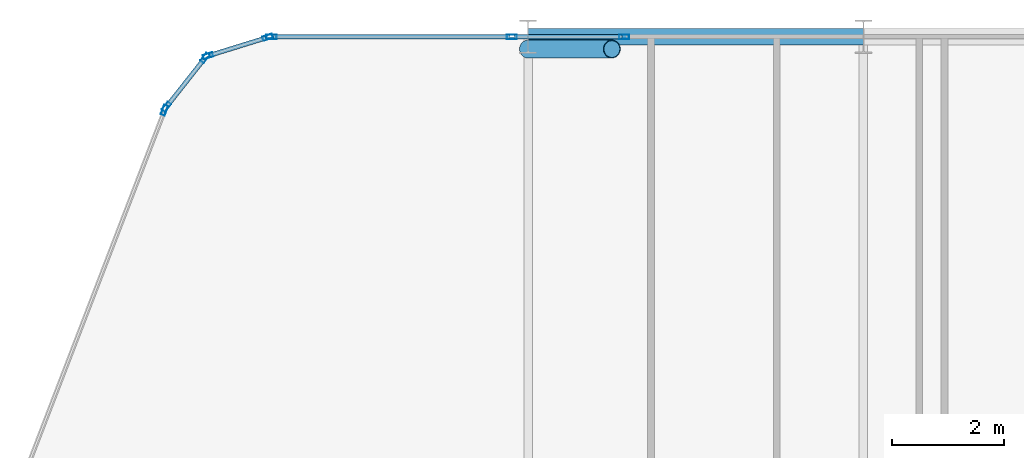
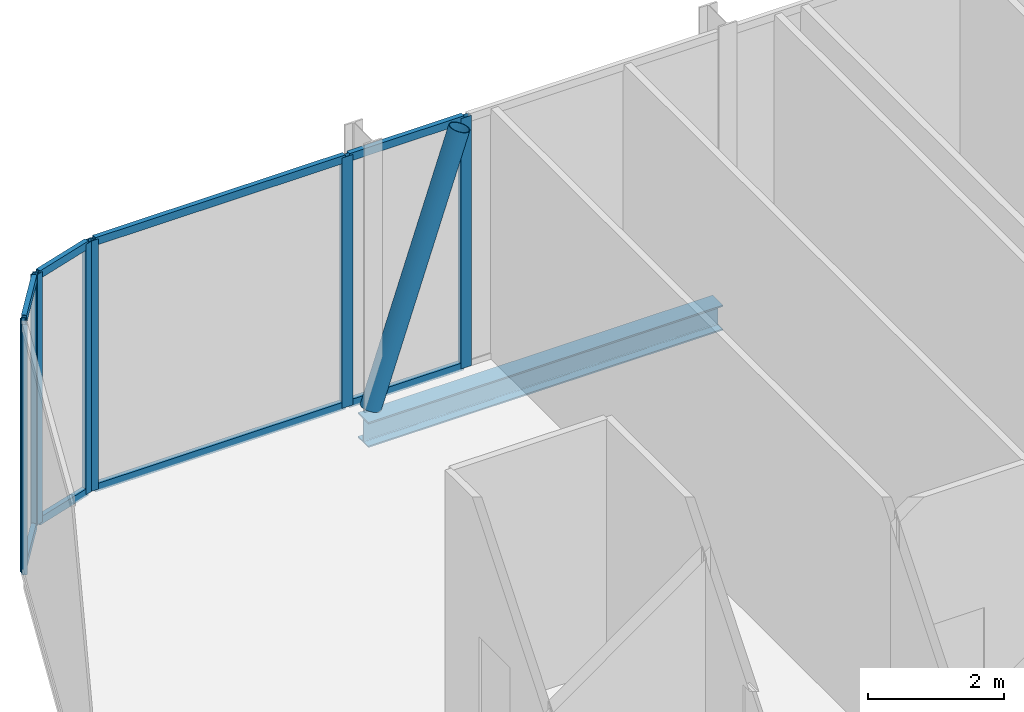
# One storey, part 16 of 29: 17 members, 1 beam, 5 elements without a shape of their own.
"""IFC4 building model written with IfcOpenShell, lengths in metres."""

from ifc_helpers import new_model, si_unit, direction, frame, origin, origin_2d, place, context, subcontext, project, spatial, hollow_rectangle, hollow_circle, i_section, extrude, material, layer, layer_set, material_profile, profile_set, type_object, element, aggregate, save


model = new_model("IFC4")

# Units and contexts
model_context = context("Model", 3, precision=1e-05, world=origin(), true_north=direction((0.0, 1.0)))
body_context = subcontext(model_context, "Body", "Model", "MODEL_VIEW")
ifc_project = project(units=[si_unit("LENGTHUNIT", "METRE"), si_unit("AREAUNIT", "SQUARE_METRE"), si_unit("VOLUMEUNIT", "CUBIC_METRE"), si_unit("PLANEANGLEUNIT", "RADIAN"), si_unit("MASSUNIT", "GRAM", prefix="KILO")], contexts=[model_context])

# Site, building, storey
site_placement = place(None, origin())
site = spatial("IfcSite", under=ifc_project, at=site_placement, CompositionType="ELEMENT")
building_placement = place(site_placement, origin())
building = spatial("IfcBuilding", under=site, at=building_placement, Name="Keshet Zoharim Tower", CompositionType="ELEMENT")
storey_placement = place(building_placement, frame((0.0, 0.0, 120.5)))
storey = spatial("IfcBuildingStorey", under=building, at=storey_placement, Name="L29", CompositionType="ELEMENT", Elevation=120.5)

# Beam
ifc_material_1 = material(Name="Steel S355", Category="steel")
ifc_material_profile_1 = material_profile(ifc_material_1, i_section(OverallWidth=0.300048828125, OverallDepth=0.449951171875, WebThickness=0.013916015625, FlangeThickness=0.02587890625, FilletRadius=0.027099609375, at=origin_2d()), Name="HEB450")
ifc_profile_set_1 = profile_set([ifc_material_profile_1], Name="Steel S355")
beam_type = type_object("IfcBeamType", Name="BM-WEB-HB450", PredefinedType="BEAM", material=ifc_profile_set_1)
beam_placement = place(storey_placement, frame((21.0, 53.89990234375, -0.544921875), z_axis=(1.0, 0.0, 0.0), x_axis=(0.0, 1.0, 0.0)))
element("IfcBeam", 1, at=beam_placement, inside=storey, type_object=beam_type, Name="L29 Primary Girder X-019", PredefinedType="BEAM", context=body_context, shape_type="SweptSolid", body=[
    extrude(i_section(OverallWidth=0.300048828125, OverallDepth=0.449951171875, WebThickness=0.013916015625, FlangeThickness=0.02587890625, FilletRadius=0.027099609375, at=origin_2d()), origin(), (0.0, 0.0, 1.0), 6.0),
])

# Curtain wall, member
ifc_material_2 = material(Name="Aluminium 6063-T6", Category="aluminium")
ifc_layer = layer(ifc_material_2, 0.14990234375)
ifc_layer_set = layer_set([ifc_layer], Name="Aluminium 6063-T6")
curtain_wall_type = type_object("IfcCurtainWallType", Name="CW-SYS-04", PredefinedType="NOTDEFINED", material=ifc_layer_set)
curtain_wall_1_placement = place(storey_placement, origin())
curtain_wall_1 = element("IfcCurtainWall", 2, at=curtain_wall_1_placement, inside=storey, type_object=curtain_wall_type, Name="L29 Unitised Curtain Wall 10", PredefinedType="NOTDEFINED")
ifc_material_profile_2 = material_profile(ifc_material_2, hollow_rectangle(XDim=0.080078125, YDim=0.179931640625, WallThickness=0.00439453125, at=origin_2d()), Name="MUL-80x180")
ifc_profile_set_2 = profile_set([ifc_material_profile_2], Name="Aluminium 6063-T6")
member_type_1 = type_object("IfcMemberType", Name="CWM-M18", PredefinedType="MULLION", material=ifc_profile_set_2)
member_1_placement = place(storey_placement, frame((14.494384765625, 52.58544921875, 0.0), z_axis=(0.0, 0.0, 1.0), x_axis=(-0.933341404361, 0.358990003907, 0.0)))
member_1 = element("IfcMember", 3, at=member_1_placement, type_object=member_type_1, Name="CW-04 mullion 4", PredefinedType="MULLION", context=body_context, shape_type="SweptSolid", body=[
    extrude(hollow_rectangle(XDim=0.080078125, YDim=0.179931640625, WallThickness=0.00439453125, at=origin_2d()), origin(), (0.0, 0.0, 1.0), 4.47998046875),
])
aggregate(curtain_wall_1, [member_1])

# Curtain wall, members
curtain_wall_2_placement = place(storey_placement, origin())
curtain_wall_2 = element("IfcCurtainWall", 4, at=curtain_wall_2_placement, inside=storey, type_object=curtain_wall_type, Name="L29 Unitised Curtain Wall 11", PredefinedType="NOTDEFINED")
member_2_placement = place(storey_placement, frame((14.528564453125, 52.6455078125, 0.0), z_axis=(0.0, 0.0, 1.0), x_axis=(-0.785292825205, 0.619124525989, 0.0)))
member_2 = element("IfcMember", 5, at=member_2_placement, type_object=member_type_1, Name="CW-04 mullion 1", PredefinedType="MULLION", context=body_context, shape_type="SweptSolid", body=[
    extrude(hollow_rectangle(XDim=0.080078125, YDim=0.179931640625, WallThickness=0.00439453125, at=origin_2d()), origin(), (0.0, 0.0, 1.0), 4.47998046875),
])
member_3_placement = place(storey_placement, frame((15.21923828125, 53.521484375, 0.0), z_axis=(0.0, 0.0, 1.0), x_axis=(-0.785292825205, 0.619124525989, 0.0)))
member_3 = element("IfcMember", 6, at=member_3_placement, type_object=member_type_1, Name="CW-04 mullion 2", PredefinedType="MULLION", context=body_context, shape_type="SweptSolid", body=[
    extrude(hollow_rectangle(XDim=0.080078125, YDim=0.179931640625, WallThickness=0.00439453125, at=origin_2d()), origin(), (0.0, 0.0, 1.0), 4.47998046875),
])

curtain_wall_3_placement = place(storey_placement, origin())
curtain_wall_3 = element("IfcCurtainWall", 7, at=curtain_wall_3_placement, inside=storey, type_object=curtain_wall_type, Name="L29 Unitised Curtain Wall 12", PredefinedType="NOTDEFINED")
member_4_placement = place(storey_placement, frame((15.2744140625, 53.559326171875, 0.0), z_axis=(0.0, 0.0, 1.0), x_axis=(-0.295921857984, 0.955212151288, 0.0)))
member_4 = element("IfcMember", 8, at=member_4_placement, type_object=member_type_1, Name="CW-04 mullion 1", PredefinedType="MULLION", context=body_context, shape_type="SweptSolid", body=[
    extrude(hollow_rectangle(XDim=0.080078125, YDim=0.179931640625, WallThickness=0.00439453125, at=origin_2d()), origin(), (0.0, 0.0, 1.0), 4.47998046875),
])
member_5_placement = place(storey_placement, frame((16.340576171875, 53.8896484375, 0.0), z_axis=(0.0, 0.0, 1.0), x_axis=(-0.295921857984, 0.955212151288, 0.0)))
member_5 = element("IfcMember", 9, at=member_5_placement, type_object=member_type_1, Name="CW-04 mullion 2", PredefinedType="MULLION", context=body_context, shape_type="SweptSolid", body=[
    extrude(hollow_rectangle(XDim=0.080078125, YDim=0.179931640625, WallThickness=0.00439453125, at=origin_2d()), origin(), (0.0, 0.0, 1.0), 4.47998046875),
])

curtain_wall_4_placement = place(storey_placement, origin())
curtain_wall_4 = element("IfcCurtainWall", 10, at=curtain_wall_4_placement, inside=storey, type_object=curtain_wall_type, Name="L29 Unitised Curtain Wall 13", PredefinedType="NOTDEFINED")
member_6_placement = place(storey_placement, frame((16.408935546875, 53.89990234375, 0.0), z_axis=(0.0, 0.0, 1.0), x_axis=(0.0, 1.0, 0.0)))
member_6 = element("IfcMember", 11, at=member_6_placement, type_object=member_type_1, Name="CW-04 mullion 1", PredefinedType="MULLION", context=body_context, shape_type="SweptSolid", body=[
    extrude(hollow_rectangle(XDim=0.080078125, YDim=0.179931640625, WallThickness=0.00439453125, at=origin_2d()), origin(), (0.0, 0.0, 1.0), 4.47998046875),
])
member_7_placement = place(storey_placement, frame((20.71142578125, 53.89990234375, 0.0), z_axis=(0.0, 0.0, 1.0), x_axis=(0.0, 1.0, 0.0)))
member_7 = element("IfcMember", 12, at=member_7_placement, type_object=member_type_1, Name="CW-04 mullion 2", PredefinedType="MULLION", context=body_context, shape_type="SweptSolid", body=[
    extrude(hollow_rectangle(XDim=0.080078125, YDim=0.179931640625, WallThickness=0.00439453125, at=origin_2d()), origin(), (0.0, 0.0, 1.0), 4.47998046875),
])

# Curtain wall, member
curtain_wall_5_placement = place(storey_placement, origin())
curtain_wall_5 = element("IfcCurtainWall", 13, at=curtain_wall_5_placement, inside=storey, type_object=curtain_wall_type, Name="L29 Unitised Curtain Wall 13 Part 2", PredefinedType="NOTDEFINED")
member_8_placement = place(storey_placement, frame((22.718505859375, 53.89990234375, 0.0), z_axis=(0.0, 0.0, 1.0), x_axis=(0.0, 1.0, 0.0)))
member_8 = element("IfcMember", 14, at=member_8_placement, type_object=member_type_1, Name="CW-04 mullion 2", PredefinedType="MULLION", context=body_context, shape_type="SweptSolid", body=[
    extrude(hollow_rectangle(XDim=0.080078125, YDim=0.179931640625, WallThickness=0.00439453125, at=origin_2d()), origin(), (0.0, 0.0, 1.0), 4.47998046875),
])

# Member
ifc_material_profile_3 = material_profile(ifc_material_2, hollow_rectangle(XDim=0.080078125, YDim=0.139892578125, WallThickness=0.00390625, at=origin_2d()), Name="TRN-80x140")
ifc_profile_set_3 = profile_set([ifc_material_profile_3], Name="Aluminium 6063-T6")
member_type_2 = type_object("IfcMemberType", Name="CWT-T14", PredefinedType="USERDEFINED", material=ifc_profile_set_3)
member_9_placement = place(storey_placement, frame((14.55029296875, 52.6728515625, 0.034912109375), z_axis=(0.619099165969, 0.78531281837, 0.0), x_axis=(-0.78531281837, 0.619099165969, 0.0)))
member_9 = element("IfcMember", 15, at=member_9_placement, type_object=member_type_2, Name="CW-04 transom 1.1", ObjectType="TRANSOM", PredefinedType="USERDEFINED", context=body_context, shape_type="SweptSolid", body=[
    extrude(hollow_rectangle(XDim=0.080078125, YDim=0.139892578125, WallThickness=0.00390625, at=origin_2d()), origin(), (0.0, 0.0, 1.0), 1.0458984375),
])

member_10_placement = place(storey_placement, frame((14.55029296875, 52.6728515625, 4.445068359375), z_axis=(0.619099165969, 0.78531281837, 0.0), x_axis=(-0.78531281837, 0.619099165969, 0.0)))
member_10 = element("IfcMember", 16, at=member_10_placement, type_object=member_type_2, Name="CW-04 transom 1.2", ObjectType="TRANSOM", PredefinedType="USERDEFINED", context=body_context, shape_type="SweptSolid", body=[
    extrude(hollow_rectangle(XDim=0.080078125, YDim=0.139892578125, WallThickness=0.00390625, at=origin_2d()), origin(), (0.0, 0.0, 1.0), 1.0458984375),
])

aggregate(curtain_wall_2, [member_2, member_3, member_9, member_10])

member_11_placement = place(storey_placement, frame((15.307861328125, 53.56982421875, 0.034912109375), z_axis=(0.955212093062, 0.295922045933, 0.0), x_axis=(-0.295922045933, 0.955212093062, 0.0)))
member_11 = element("IfcMember", 17, at=member_11_placement, type_object=member_type_2, Name="CW-04 transom 1.1", ObjectType="TRANSOM", PredefinedType="USERDEFINED", context=body_context, shape_type="SweptSolid", body=[
    extrude(hollow_rectangle(XDim=0.080078125, YDim=0.139892578125, WallThickness=0.00390625, at=origin_2d()), origin(), (0.0, 0.0, 1.0), 1.046142578125),
])

member_12_placement = place(storey_placement, frame((15.307861328125, 53.56982421875, 4.445068359375), z_axis=(0.955212093062, 0.295922045933, 0.0), x_axis=(-0.295922045933, 0.955212093062, 0.0)))
member_12 = element("IfcMember", 18, at=member_12_placement, type_object=member_type_2, Name="CW-04 transom 1.2", ObjectType="TRANSOM", PredefinedType="USERDEFINED", context=body_context, shape_type="SweptSolid", body=[
    extrude(hollow_rectangle(XDim=0.080078125, YDim=0.139892578125, WallThickness=0.00390625, at=origin_2d()), origin(), (0.0, 0.0, 1.0), 1.046142578125),
])

aggregate(curtain_wall_3, [member_4, member_5, member_11, member_12])

member_13_placement = place(storey_placement, frame((16.444091796875, 53.89990234375, 0.034912109375), z_axis=(1.0, 0.0, 0.0), x_axis=(0.0, 1.0, 0.0)))
member_13 = element("IfcMember", 19, at=member_13_placement, type_object=member_type_2, Name="CW-04 transom 1.1", ObjectType="TRANSOM", PredefinedType="USERDEFINED", context=body_context, shape_type="SweptSolid", body=[
    extrude(hollow_rectangle(XDim=0.080078125, YDim=0.139892578125, WallThickness=0.00390625, at=origin_2d()), origin(), (0.0, 0.0, 1.0), 4.232421875),
])

member_14_placement = place(storey_placement, frame((16.444091796875, 53.89990234375, 4.445068359375), z_axis=(1.0, 0.0, 0.0), x_axis=(0.0, 1.0, 0.0)))
member_14 = element("IfcMember", 20, at=member_14_placement, type_object=member_type_2, Name="CW-04 transom 1.2", ObjectType="TRANSOM", PredefinedType="USERDEFINED", context=body_context, shape_type="SweptSolid", body=[
    extrude(hollow_rectangle(XDim=0.080078125, YDim=0.139892578125, WallThickness=0.00390625, at=origin_2d()), origin(), (0.0, 0.0, 1.0), 4.232421875),
])

aggregate(curtain_wall_4, [member_6, member_7, member_13, member_14])

member_15_placement = place(storey_placement, frame((20.746337890625, 53.89990234375, 0.034912109375), z_axis=(1.0, 0.0, 0.0), x_axis=(0.0, 1.0, 0.0)))
member_15 = element("IfcMember", 21, at=member_15_placement, type_object=member_type_2, Name="CW-04 transom 1.1", ObjectType="TRANSOM", PredefinedType="USERDEFINED", context=body_context, shape_type="SweptSolid", body=[
    extrude(hollow_rectangle(XDim=0.080078125, YDim=0.139892578125, WallThickness=0.00390625, at=origin_2d()), origin(), (0.0, 0.0, 1.0), 1.937255859375),
])

member_16_placement = place(storey_placement, frame((20.746337890625, 53.89990234375, 4.445068359375), z_axis=(1.0, 0.0, 0.0), x_axis=(0.0, 1.0, 0.0)))
member_16 = element("IfcMember", 22, at=member_16_placement, type_object=member_type_2, Name="CW-04 transom 1.2", ObjectType="TRANSOM", PredefinedType="USERDEFINED", context=body_context, shape_type="SweptSolid", body=[
    extrude(hollow_rectangle(XDim=0.080078125, YDim=0.139892578125, WallThickness=0.00390625, at=origin_2d()), origin(), (0.0, 0.0, 1.0), 1.937255859375),
])

aggregate(curtain_wall_5, [member_8, member_15, member_16])

ifc_material_profile_4 = material_profile(ifc_material_1, hollow_circle(Radius=0.161865234375, WallThickness=0.012451171875, at=origin_2d()), Name="CHS323x12.5")
ifc_profile_set_4 = profile_set([ifc_material_profile_4], Name="Steel S355")
member_type_3 = type_object("IfcMemberType", Name="MB-BR-C323", PredefinedType="BRACE", material=ifc_profile_set_4)
member_17_placement = place(storey_placement, frame((21.0, 53.679931640625, 0.0), z_axis=(0.317498717206, 0.0, 0.94825870129), x_axis=(0.0, 1.0, 0.0)))
element("IfcMember", 23, at=member_17_placement, inside=storey, type_object=member_type_3, Name="L29 Perimeter Tube Brace 02", PredefinedType="BRACE", context=body_context, shape_type="SweptSolid", body=[
    extrude(hollow_circle(Radius=0.161865234375, WallThickness=0.012451171875, at=origin_2d()), origin(), (0.0, 0.0, 1.0), 4.724365234375),
])

save(model, "model.ifc")
